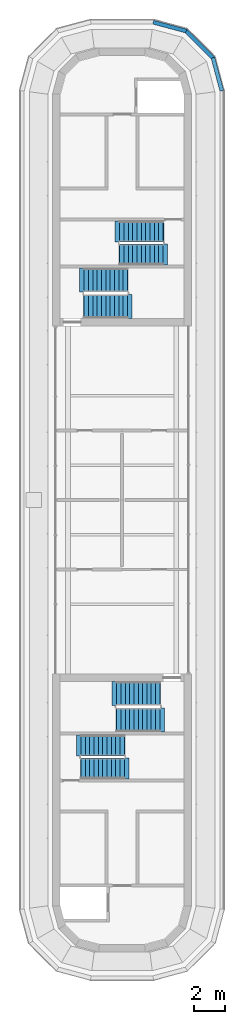
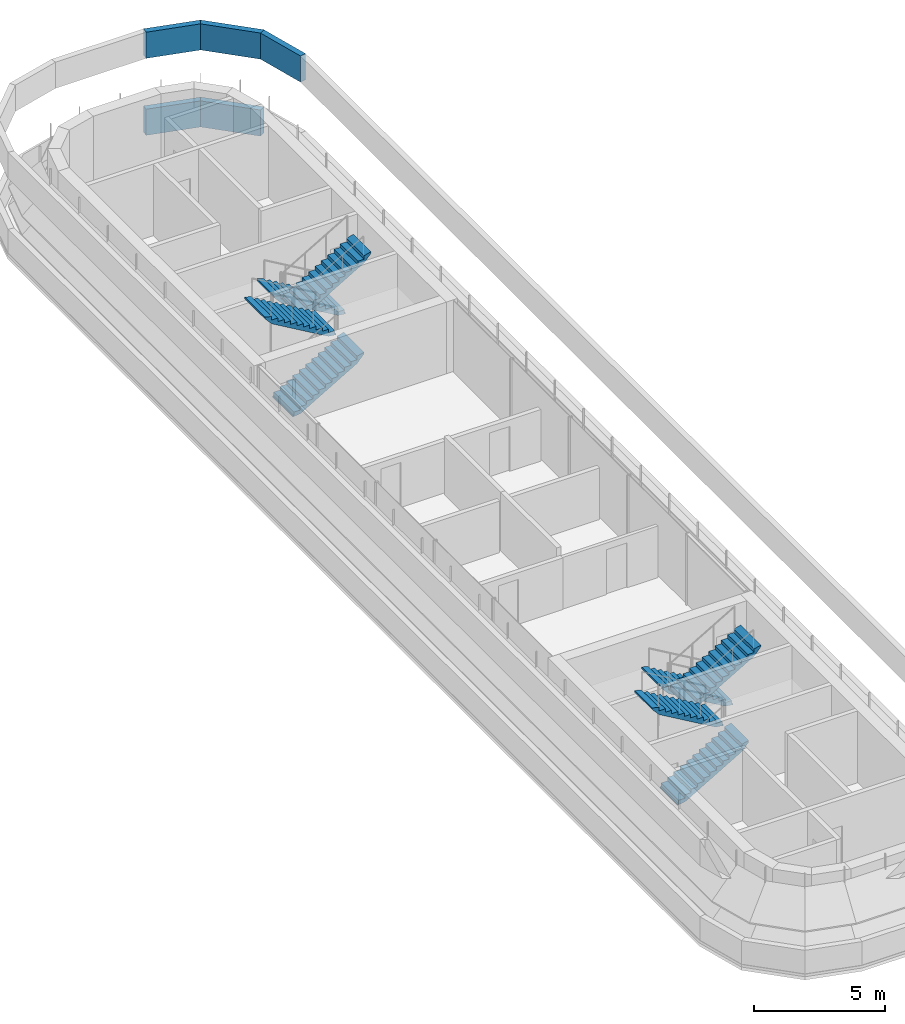
# One storey, part 4 of 6: 8 stair flights, 5 walls, 4 elements without a shape of their own.
"""IFC4 building model written with IfcOpenShell, lengths in metres."""

from ifc_helpers import new_model, si_unit, direction, frame, origin, place, context, subcontext, project, spatial, polyline, outline, extrude, material, layer, layer_set, type_object, element, aggregate, save


model = new_model("IFC4")

# Units and contexts
model_context = context("Model", 3, precision=1e-05, world=origin(), true_north=direction((0.0, 1.0)))
body_context = subcontext(model_context, "Body", "Model", "MODEL_VIEW")
ifc_project = project(units=[si_unit("LENGTHUNIT", "METRE"), si_unit("AREAUNIT", "SQUARE_METRE"), si_unit("VOLUMEUNIT", "CUBIC_METRE"), si_unit("PLANEANGLEUNIT", "RADIAN"), si_unit("MASSUNIT", "GRAM", prefix="KILO")], contexts=[model_context])

# Site, building, storey
site_placement = place(None, origin())
site = spatial("IfcSite", under=ifc_project, at=site_placement, CompositionType="ELEMENT")
building_placement = place(site_placement, origin())
building = spatial("IfcBuilding", under=site, at=building_placement, Name="Zarbagh Exchange Tower", CompositionType="ELEMENT")
storey_placement = place(building_placement, frame((0.0, 0.0, 316.800048828125)))
storey = spatial("IfcBuildingStorey", under=building, at=storey_placement, Name="L78", CompositionType="ELEMENT", Elevation=316.800048828125)

# Walls
ifc_material = material(Name="Concrete C40/50", Category="concrete")
ifc_layer = layer(ifc_material, 0.25)
ifc_layer_set = layer_set([ifc_layer], Name="Parapet wall, concrete C40/50")
wall_type = type_object("IfcWallType", Name="Parapet wall, concrete C40/50", PredefinedType="PARAPET", material=ifc_layer_set)
wall_1_placement = place(storey_placement, origin())
element("IfcWall", 1, at=wall_1_placement, inside=storey, type_object=wall_type, Name="roof parapet", PredefinedType="PARAPET", context=body_context, shape_type="SweptSolid", body=[
    extrude(outline(polyline([(2.0341796875, 31.030029296875), (4.221435546875, 30.444091796875), (4.092041015625, 30.2197265625), (2.00146484375, 30.780029296875), (2.0341796875, 31.030029296875)])), origin(), (0.0, 0.0, 1.0), 1.219970703125),
])
wall_2_placement = place(storey_placement, origin())
element("IfcWall", 2, at=wall_2_placement, inside=storey, type_object=wall_type, Name="roof parapet", PredefinedType="PARAPET", context=body_context, shape_type="SweptSolid", body=[
    extrude(outline(polyline([(4.221435546875, 30.444091796875), (5.993896484375, 28.67138671875), (5.769775390625, 28.5419921875), (4.092041015625, 30.2197265625), (4.221435546875, 30.444091796875)])), origin(), (0.0, 0.0, 1.0), 1.219970703125),
])
wall_3_placement = place(storey_placement, frame((0.0, 0.0, 3.599853515625)))
element("IfcWall", 3, at=wall_3_placement, inside=storey, type_object=wall_type, Name="roof parapet", PredefinedType="PARAPET", context=body_context, shape_type="SweptSolid", body=[
    extrude(outline(polyline([(2.0341796875, 31.030029296875), (4.221435546875, 30.444091796875), (4.092041015625, 30.2197265625), (2.00146484375, 30.780029296875), (2.0341796875, 31.030029296875)])), origin(), (0.0, 0.0, 1.0), 1.22021484375),
])
wall_4_placement = place(storey_placement, frame((0.0, 0.0, 3.599853515625)))
element("IfcWall", 4, at=wall_4_placement, inside=storey, type_object=wall_type, Name="roof parapet", PredefinedType="PARAPET", context=body_context, shape_type="SweptSolid", body=[
    extrude(outline(polyline([(4.221435546875, 30.444091796875), (5.993896484375, 28.67138671875), (5.769775390625, 28.5419921875), (4.092041015625, 30.2197265625), (4.221435546875, 30.444091796875)])), origin(), (0.0, 0.0, 1.0), 1.22021484375),
])
wall_5_placement = place(storey_placement, frame((0.0, 0.0, 3.599853515625)))
element("IfcWall", 5, at=wall_5_placement, inside=storey, type_object=wall_type, Name="roof parapet", PredefinedType="PARAPET", context=body_context, shape_type="SweptSolid", body=[
    extrude(outline(polyline([(5.993896484375, 28.67138671875), (6.580078125, 26.484375), (6.330078125, 26.451416015625), (5.769775390625, 28.5419921875), (5.993896484375, 28.67138671875)])), origin(), (0.0, 0.0, 1.0), 1.22021484375),
])

# Stair, stair flights
stair_type = type_object("IfcStairType", Name="Exit stair two-flight half-turn", PredefinedType="HALF_TURN_STAIR", material=ifc_material)
stair_1_placement = place(storey_placement, origin())
stair_1 = element("IfcStair", 6, at=stair_1_placement, inside=storey, type_object=stair_type, Name="exit stair ST1", PredefinedType="HALF_TURN_STAIR")
stair_flight_type_1 = type_object("IfcStairFlightType", Name="Stair flight 1350 mm", PredefinedType="STRAIGHT", material=ifc_material)
stair_flight_1_placement = place(storey_placement, frame((2.64990234375, 17.375, 0.0), z_axis=(0.0, 0.0, 1.0), x_axis=(-1.0, 0.0, 0.0)))
stair_flight_1 = element("IfcStairFlight", 7, at=stair_flight_1_placement, type_object=stair_flight_type_1, Name="ST1 flight 1", NumberOfRisers=11, NumberOfTreads=10, PredefinedType="STRAIGHT", RiserHeight=0.163636364, TreadLength=0.28, context=body_context, shape_type="SweptSolid", body=[
    extrude(outline(polyline([(-0.050048828125, -0.050048828125), (-0.050048828125, 0.0), (0.0, 0.0), (0.0, 0.16357421875), (0.280029296875, 0.16357421875), (0.280029296875, 0.327392578125), (0.56005859375, 0.327392578125), (0.56005859375, 0.490966796875), (0.840087890625, 0.490966796875), (0.840087890625, 0.654541015625), (1.1201171875, 0.654541015625), (1.1201171875, 0.818115234375), (1.39990234375, 0.818115234375), (1.39990234375, 0.98193359375), (1.679931640625, 0.98193359375), (1.679931640625, 1.1455078125), (1.9599609375, 1.1455078125), (1.9599609375, 1.30908203125), (2.239990234375, 1.30908203125), (2.239990234375, 1.47265625), (2.52001953125, 1.47265625), (2.52001953125, 1.636474609375), (2.800048828125, 1.636474609375), (2.800048828125, 1.800048828125), (3.10009765625, 1.8798828125), (3.10009765625, 1.800048828125), (2.800048828125, 1.462646484375), (0.297119140625, 0.0), (-0.050048828125, -0.050048828125)])), frame((0.0, 0.675048828125, 0.0), z_axis=(0.0, -1.0, 0.0), x_axis=(1.0, 0.0, 0.0)), (0.0, 0.0, 1.0), 1.35009765625),
])
stair_flight_2_placement = place(storey_placement, frame((-0.14990234375, 15.875, 1.800048828125), z_axis=(0.0, 0.0, 1.0), x_axis=(1.0, 0.0, 0.0)))
stair_flight_2 = element("IfcStairFlight", 8, at=stair_flight_2_placement, type_object=stair_flight_type_1, Name="ST1 flight 2", NumberOfRisers=11, NumberOfTreads=10, PredefinedType="STRAIGHT", RiserHeight=0.163636364, TreadLength=0.28, context=body_context, shape_type="SweptSolid", body=[
    extrude(outline(polyline([(-0.050048828125, -0.050048828125), (-0.050048828125, 0.0), (0.0, 0.0), (0.0, 0.16357421875), (0.280029296875, 0.16357421875), (0.280029296875, 0.327392578125), (0.56005859375, 0.327392578125), (0.56005859375, 0.490966796875), (0.840087890625, 0.490966796875), (0.840087890625, 0.654541015625), (1.1201171875, 0.654541015625), (1.1201171875, 0.818115234375), (1.39990234375, 0.818115234375), (1.39990234375, 0.98193359375), (1.679931640625, 0.98193359375), (1.679931640625, 1.1455078125), (1.9599609375, 1.1455078125), (1.9599609375, 1.30908203125), (2.239990234375, 1.30908203125), (2.239990234375, 1.47265625), (2.52001953125, 1.47265625), (2.52001953125, 1.636474609375), (2.800048828125, 1.636474609375), (2.800048828125, 1.800048828125), (3.10009765625, 1.8798828125), (3.10009765625, 1.800048828125), (2.800048828125, 1.462646484375), (0.297119140625, 0.0), (-0.050048828125, -0.050048828125)])), frame((0.0, 0.675048828125, 0.0), z_axis=(0.0, -1.0, 0.0), x_axis=(1.0, 0.0, 0.0)), (0.0, 0.0, 1.0), 1.35009765625),
])
aggregate(stair_1, [stair_flight_1, stair_flight_2])

stair_2_placement = place(storey_placement, origin())
stair_2 = element("IfcStair", 9, at=stair_2_placement, inside=storey, type_object=stair_type, Name="exit stair ST3", PredefinedType="HALF_TURN_STAIR")
stair_flight_3_placement = place(storey_placement, frame((-2.64990234375, -17.375, 0.0), z_axis=(0.0, 0.0, 1.0), x_axis=(1.0, 0.0, 0.0)))
stair_flight_3 = element("IfcStairFlight", 10, at=stair_flight_3_placement, type_object=stair_flight_type_1, Name="ST3 flight 1", NumberOfRisers=11, NumberOfTreads=10, PredefinedType="STRAIGHT", RiserHeight=0.163636364, TreadLength=0.28, context=body_context, shape_type="SweptSolid", body=[
    extrude(outline(polyline([(-0.050048828125, -0.050048828125), (-0.050048828125, 0.0), (0.0, 0.0), (0.0, 0.16357421875), (0.280029296875, 0.16357421875), (0.280029296875, 0.327392578125), (0.56005859375, 0.327392578125), (0.56005859375, 0.490966796875), (0.840087890625, 0.490966796875), (0.840087890625, 0.654541015625), (1.1201171875, 0.654541015625), (1.1201171875, 0.818115234375), (1.39990234375, 0.818115234375), (1.39990234375, 0.98193359375), (1.679931640625, 0.98193359375), (1.679931640625, 1.1455078125), (1.9599609375, 1.1455078125), (1.9599609375, 1.30908203125), (2.239990234375, 1.30908203125), (2.239990234375, 1.47265625), (2.52001953125, 1.47265625), (2.52001953125, 1.636474609375), (2.800048828125, 1.636474609375), (2.800048828125, 1.800048828125), (3.10009765625, 1.8798828125), (3.10009765625, 1.800048828125), (2.800048828125, 1.462646484375), (0.297119140625, 0.0), (-0.050048828125, -0.050048828125)])), frame((0.0, 0.675048828125, 0.0), z_axis=(0.0, -1.0, 0.0), x_axis=(1.0, 0.0, 0.0)), (0.0, 0.0, 1.0), 1.35009765625),
])
stair_flight_4_placement = place(storey_placement, frame((0.14990234375, -15.875, 1.800048828125), z_axis=(0.0, 0.0, 1.0), x_axis=(-1.0, 0.0, 0.0)))
stair_flight_4 = element("IfcStairFlight", 11, at=stair_flight_4_placement, type_object=stair_flight_type_1, Name="ST3 flight 2", NumberOfRisers=11, NumberOfTreads=10, PredefinedType="STRAIGHT", RiserHeight=0.163636364, TreadLength=0.28, context=body_context, shape_type="SweptSolid", body=[
    extrude(outline(polyline([(-0.050048828125, -0.050048828125), (-0.050048828125, 0.0), (0.0, 0.0), (0.0, 0.16357421875), (0.280029296875, 0.16357421875), (0.280029296875, 0.327392578125), (0.56005859375, 0.327392578125), (0.56005859375, 0.490966796875), (0.840087890625, 0.490966796875), (0.840087890625, 0.654541015625), (1.1201171875, 0.654541015625), (1.1201171875, 0.818115234375), (1.39990234375, 0.818115234375), (1.39990234375, 0.98193359375), (1.679931640625, 0.98193359375), (1.679931640625, 1.1455078125), (1.9599609375, 1.1455078125), (1.9599609375, 1.30908203125), (2.239990234375, 1.30908203125), (2.239990234375, 1.47265625), (2.52001953125, 1.47265625), (2.52001953125, 1.636474609375), (2.800048828125, 1.636474609375), (2.800048828125, 1.800048828125), (3.10009765625, 1.8798828125), (3.10009765625, 1.800048828125), (2.800048828125, 1.462646484375), (0.297119140625, 0.0), (-0.050048828125, -0.050048828125)])), frame((0.0, 0.675048828125, 0.0), z_axis=(0.0, -1.0, 0.0), x_axis=(1.0, 0.0, 0.0)), (0.0, 0.0, 1.0), 1.35009765625),
])
aggregate(stair_2, [stair_flight_3, stair_flight_4])

stair_3_placement = place(storey_placement, origin())
stair_3 = element("IfcStair", 12, at=stair_3_placement, inside=storey, type_object=stair_type, Name="exit stair ST2", PredefinedType="HALF_TURN_STAIR")
stair_flight_type_2 = type_object("IfcStairFlightType", Name="Stair flight 1550 mm", PredefinedType="STRAIGHT", material=ifc_material)
stair_flight_5_placement = place(storey_placement, frame((-2.449951171875, 12.52490234375, 0.0), z_axis=(0.0, 0.0, 1.0), x_axis=(1.0, 0.0, 0.0)))
stair_flight_5 = element("IfcStairFlight", 13, at=stair_flight_5_placement, type_object=stair_flight_type_2, Name="ST2 flight 1", NumberOfRisers=11, NumberOfTreads=10, PredefinedType="STRAIGHT", RiserHeight=0.163636364, TreadLength=0.28, context=body_context, shape_type="SweptSolid", body=[
    extrude(outline(polyline([(-0.050048828125, -0.050048828125), (-0.050048828125, 0.0), (0.0, 0.0), (0.0, 0.16357421875), (0.280029296875, 0.16357421875), (0.280029296875, 0.327392578125), (0.56005859375, 0.327392578125), (0.56005859375, 0.490966796875), (0.840087890625, 0.490966796875), (0.840087890625, 0.654541015625), (1.1201171875, 0.654541015625), (1.1201171875, 0.818115234375), (1.39990234375, 0.818115234375), (1.39990234375, 0.98193359375), (1.679931640625, 0.98193359375), (1.679931640625, 1.1455078125), (1.9599609375, 1.1455078125), (1.9599609375, 1.30908203125), (2.239990234375, 1.30908203125), (2.239990234375, 1.47265625), (2.52001953125, 1.47265625), (2.52001953125, 1.636474609375), (2.800048828125, 1.636474609375), (2.800048828125, 1.800048828125), (3.10009765625, 1.8798828125), (3.10009765625, 1.800048828125), (2.800048828125, 1.462646484375), (0.297119140625, 0.0), (-0.050048828125, -0.050048828125)])), frame((0.0, 0.77490234375, 0.0), z_axis=(0.0, -1.0, 0.0), x_axis=(1.0, 0.0, 0.0)), (0.0, 0.0, 1.0), 1.550048828125),
])
stair_flight_6_placement = place(storey_placement, frame((0.35009765625, 14.22509765625, 1.800048828125), z_axis=(0.0, 0.0, 1.0), x_axis=(-1.0, 0.0, 0.0)))
stair_flight_6 = element("IfcStairFlight", 14, at=stair_flight_6_placement, type_object=stair_flight_type_2, Name="ST2 flight 2", NumberOfRisers=11, NumberOfTreads=10, PredefinedType="STRAIGHT", RiserHeight=0.163636364, TreadLength=0.28, context=body_context, shape_type="SweptSolid", body=[
    extrude(outline(polyline([(-0.050048828125, -0.050048828125), (-0.050048828125, 0.0), (0.0, 0.0), (0.0, 0.16357421875), (0.280029296875, 0.16357421875), (0.280029296875, 0.327392578125), (0.56005859375, 0.327392578125), (0.56005859375, 0.490966796875), (0.840087890625, 0.490966796875), (0.840087890625, 0.654541015625), (1.1201171875, 0.654541015625), (1.1201171875, 0.818115234375), (1.39990234375, 0.818115234375), (1.39990234375, 0.98193359375), (1.679931640625, 0.98193359375), (1.679931640625, 1.1455078125), (1.9599609375, 1.1455078125), (1.9599609375, 1.30908203125), (2.239990234375, 1.30908203125), (2.239990234375, 1.47265625), (2.52001953125, 1.47265625), (2.52001953125, 1.636474609375), (2.800048828125, 1.636474609375), (2.800048828125, 1.800048828125), (3.10009765625, 1.8798828125), (3.10009765625, 1.800048828125), (2.800048828125, 1.462646484375), (0.297119140625, 0.0), (-0.050048828125, -0.050048828125)])), frame((0.0, 0.77490234375, 0.0), z_axis=(0.0, -1.0, 0.0), x_axis=(1.0, 0.0, 0.0)), (0.0, 0.0, 1.0), 1.550048828125),
])
aggregate(stair_3, [stair_flight_5, stair_flight_6])

stair_4_placement = place(storey_placement, origin())
stair_4 = element("IfcStair", 15, at=stair_4_placement, inside=storey, type_object=stair_type, Name="exit stair ST4", PredefinedType="HALF_TURN_STAIR")
stair_flight_7_placement = place(storey_placement, frame((2.449951171875, -12.52490234375, 0.0), z_axis=(0.0, 0.0, 1.0), x_axis=(-1.0, 0.0, 0.0)))
stair_flight_7 = element("IfcStairFlight", 16, at=stair_flight_7_placement, type_object=stair_flight_type_2, Name="ST4 flight 1", NumberOfRisers=11, NumberOfTreads=10, PredefinedType="STRAIGHT", RiserHeight=0.163636364, TreadLength=0.28, context=body_context, shape_type="SweptSolid", body=[
    extrude(outline(polyline([(-0.050048828125, -0.050048828125), (-0.050048828125, 0.0), (0.0, 0.0), (0.0, 0.16357421875), (0.280029296875, 0.16357421875), (0.280029296875, 0.327392578125), (0.56005859375, 0.327392578125), (0.56005859375, 0.490966796875), (0.840087890625, 0.490966796875), (0.840087890625, 0.654541015625), (1.1201171875, 0.654541015625), (1.1201171875, 0.818115234375), (1.39990234375, 0.818115234375), (1.39990234375, 0.98193359375), (1.679931640625, 0.98193359375), (1.679931640625, 1.1455078125), (1.9599609375, 1.1455078125), (1.9599609375, 1.30908203125), (2.239990234375, 1.30908203125), (2.239990234375, 1.47265625), (2.52001953125, 1.47265625), (2.52001953125, 1.636474609375), (2.800048828125, 1.636474609375), (2.800048828125, 1.800048828125), (3.10009765625, 1.8798828125), (3.10009765625, 1.800048828125), (2.800048828125, 1.462646484375), (0.297119140625, 0.0), (-0.050048828125, -0.050048828125)])), frame((0.0, 0.77490234375, 0.0), z_axis=(0.0, -1.0, 0.0), x_axis=(1.0, 0.0, 0.0)), (0.0, 0.0, 1.0), 1.550048828125),
])
stair_flight_8_placement = place(storey_placement, frame((-0.35009765625, -14.22509765625, 1.800048828125), z_axis=(0.0, 0.0, 1.0), x_axis=(1.0, 0.0, 0.0)))
stair_flight_8 = element("IfcStairFlight", 17, at=stair_flight_8_placement, type_object=stair_flight_type_2, Name="ST4 flight 2", NumberOfRisers=11, NumberOfTreads=10, PredefinedType="STRAIGHT", RiserHeight=0.163636364, TreadLength=0.28, context=body_context, shape_type="SweptSolid", body=[
    extrude(outline(polyline([(-0.050048828125, -0.050048828125), (-0.050048828125, 0.0), (0.0, 0.0), (0.0, 0.16357421875), (0.280029296875, 0.16357421875), (0.280029296875, 0.327392578125), (0.56005859375, 0.327392578125), (0.56005859375, 0.490966796875), (0.840087890625, 0.490966796875), (0.840087890625, 0.654541015625), (1.1201171875, 0.654541015625), (1.1201171875, 0.818115234375), (1.39990234375, 0.818115234375), (1.39990234375, 0.98193359375), (1.679931640625, 0.98193359375), (1.679931640625, 1.1455078125), (1.9599609375, 1.1455078125), (1.9599609375, 1.30908203125), (2.239990234375, 1.30908203125), (2.239990234375, 1.47265625), (2.52001953125, 1.47265625), (2.52001953125, 1.636474609375), (2.800048828125, 1.636474609375), (2.800048828125, 1.800048828125), (3.10009765625, 1.8798828125), (3.10009765625, 1.800048828125), (2.800048828125, 1.462646484375), (0.297119140625, 0.0), (-0.050048828125, -0.050048828125)])), frame((0.0, 0.77490234375, 0.0), z_axis=(0.0, -1.0, 0.0), x_axis=(1.0, 0.0, 0.0)), (0.0, 0.0, 1.0), 1.550048828125),
])
aggregate(stair_4, [stair_flight_7, stair_flight_8])

save(model, "model.ifc")
